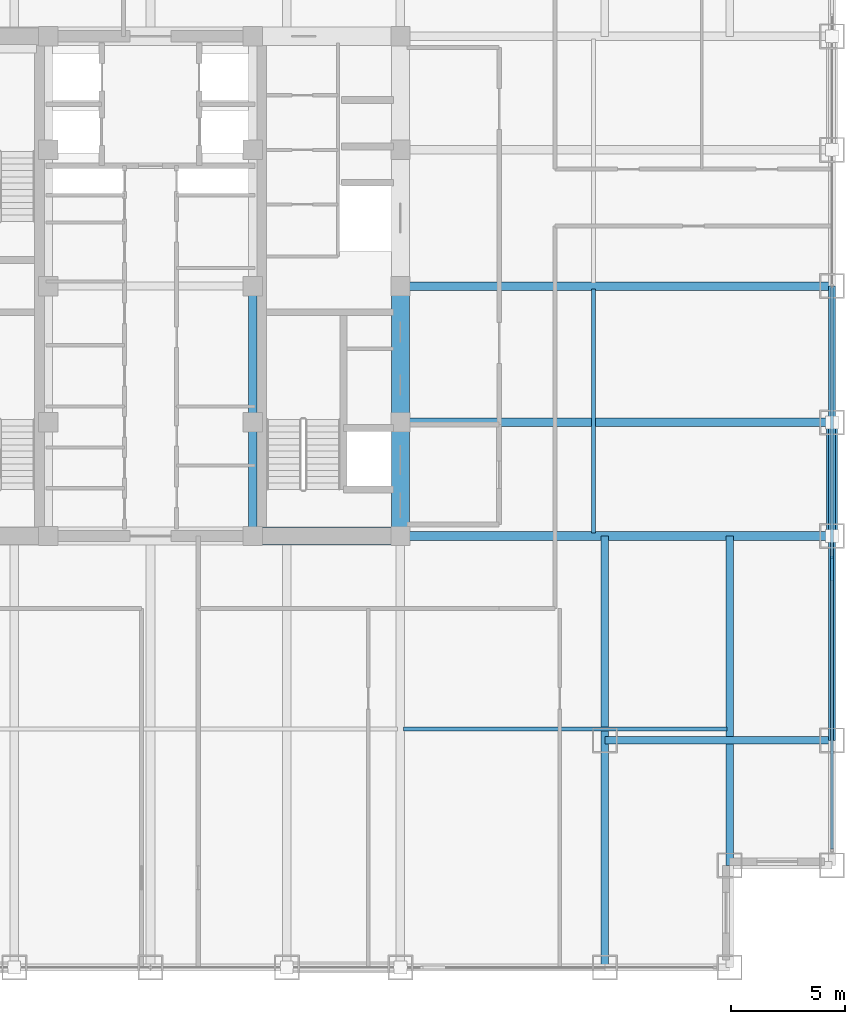
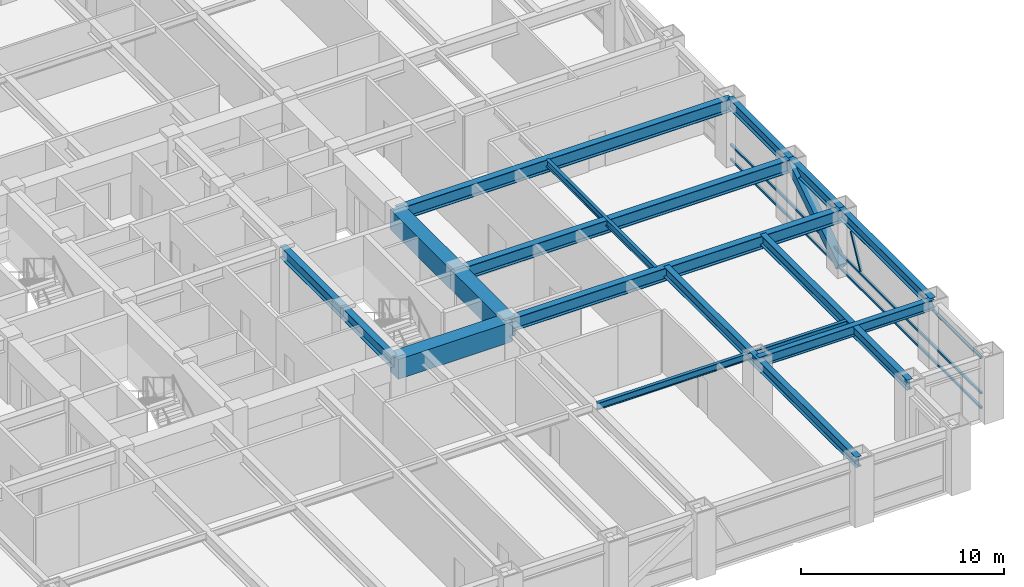
# One storey, part 9 of 25: 16 beams, 5 members, 1 element without a shape of its own.
"""IFC4 building model written with IfcOpenShell, lengths in metres."""

from ifc_helpers import new_model, si_unit, direction, frame, origin, origin_2d, place, context, subcontext, project, spatial, rectangle, hollow_rectangle, i_section, extrude, source, transform, mapped, material, material_profile, profile_set, type_object, element, aggregate, save


model = new_model("IFC4")

# Units and contexts
model_context = context("Model", 3, precision=1e-05, world=origin(), true_north=direction((0.0, 1.0)))
body_context = subcontext(model_context, "Body", "Model", "MODEL_VIEW")
ifc_project = project(units=[si_unit("LENGTHUNIT", "METRE"), si_unit("AREAUNIT", "SQUARE_METRE"), si_unit("VOLUMEUNIT", "CUBIC_METRE"), si_unit("PLANEANGLEUNIT", "RADIAN"), si_unit("MASSUNIT", "GRAM", prefix="KILO")], contexts=[model_context])

# Site, building, storey
site_placement = place(None, origin())
site = spatial("IfcSite", under=ifc_project, at=site_placement, CompositionType="ELEMENT")
building_placement = place(site_placement, origin())
building = spatial("IfcBuilding", under=site, at=building_placement, Name="Khorayat Bourse Tower", CompositionType="ELEMENT")
storey_placement = place(building_placement, frame((0.0, 0.0, 199.10009765625)))
storey = spatial("IfcBuildingStorey", under=building, at=storey_placement, Name="L46", CompositionType="ELEMENT", Elevation=199.10009765625)

# Beams
ifc_material_1 = material(Name="Concrete C72/90", Category="concrete")
ifc_material_profile_1 = material_profile(ifc_material_1, rectangle(XDim=0.800048828125, YDim=1.199951171875, at=origin_2d()), Name="RC 800x1200")
ifc_profile_set_1 = profile_set([ifc_material_profile_1], Name="Concrete C72/90")
beam_type_1 = type_object("IfcBeamType", Name="BM-COUP-1200", PredefinedType="BEAM", material=ifc_profile_set_1)
shared_shape_1 = source(origin(), body_context, "Body", "SweptSolid", [
    extrude(rectangle(XDim=0.800048828125, YDim=1.199951171875, at=origin_2d()), origin(), (0.0, 0.0, 1.0), 5.0),
])
beam_1_placement = place(storey_placement, frame((11.0, -11.0, 3.179931640625), z_axis=(0.0, 1.0, 0.0), x_axis=(-1.0, 0.0, 0.0)))
element("IfcBeam", 1, at=beam_1_placement, inside=storey, type_object=beam_type_1, Name="L46 BM-COUP-1200 BM-L46-CRX-13", PredefinedType="BEAM", context=body_context, shape_type="MappedRepresentation", body=[
    mapped(shared_shape_1, transform((0.0, 0.0, 0.0), scale=1.0)),
])
shared_shape_2 = source(origin(), body_context, "Body", "SweptSolid", [
    extrude(rectangle(XDim=0.800048828125, YDim=1.199951171875, at=origin_2d()), origin(), (0.0, 0.0, 1.0), 6.0),
])
beam_2_placement = place(storey_placement, frame((11.0, -6.0, 3.179931640625), z_axis=(0.0, 1.0, 0.0), x_axis=(-1.0, 0.0, 0.0)))
element("IfcBeam", 2, at=beam_2_placement, inside=storey, type_object=beam_type_1, Name="L46 BM-COUP-1200 BM-L46-CRX-14", PredefinedType="BEAM", context=body_context, shape_type="MappedRepresentation", body=[
    mapped(shared_shape_2, transform((0.0, 0.0, 0.0), scale=1.0)),
])
ifc_material_2 = material(Name="Steel ASTM A992 Grade 50", Category="steel")
ifc_material_profile_2 = material_profile(ifc_material_2, i_section(OverallWidth=0.35498046875, OverallDepth=0.695068359375, WebThickness=0.015380859375, FlangeThickness=0.02490234375, FilletRadius=0.01806640625, at=origin_2d()), Name="W690X217")
ifc_profile_set_2 = profile_set([ifc_material_profile_2], Name="Steel ASTM A992 Grade 50")
beam_type_2 = type_object("IfcBeamType", Name="BM-GIRD-690", PredefinedType="BEAM", material=ifc_profile_set_2)
shared_shape_3 = source(origin(), body_context, "Body", "SweptSolid", [
    extrude(i_section(OverallWidth=0.35498046875, OverallDepth=0.695068359375, WebThickness=0.015380859375, FlangeThickness=0.02490234375, FilletRadius=0.01806640625, at=origin_2d()), origin(), (0.0, 0.0, 1.0), 5.0),
])
beam_3_placement = place(storey_placement, frame((4.5, -11.0, 3.432373046875), z_axis=(0.0, 1.0, 0.0), x_axis=(-1.0, 0.0, 0.0)))
element("IfcBeam", 3, at=beam_3_placement, inside=storey, type_object=beam_type_2, Name="L46 BM-GIRD-690 BM-L46-CRX-09", PredefinedType="BEAM", context=body_context, shape_type="MappedRepresentation", body=[
    mapped(shared_shape_3, transform((0.0, 0.0, 0.0), scale=1.0)),
])
shared_shape_4 = source(origin(), body_context, "Body", "SweptSolid", [
    extrude(i_section(OverallWidth=0.35498046875, OverallDepth=0.695068359375, WebThickness=0.015380859375, FlangeThickness=0.02490234375, FilletRadius=0.01806640625, at=origin_2d()), origin(), (0.0, 0.0, 1.0), 6.0),
])
beam_4_placement = place(storey_placement, frame((4.5, -6.0, 3.432373046875), z_axis=(0.0, 1.0, 0.0), x_axis=(-1.0, 0.0, 0.0)))
element("IfcBeam", 4, at=beam_4_placement, inside=storey, type_object=beam_type_2, Name="L46 BM-GIRD-690 BM-L46-CRX-10", PredefinedType="BEAM", context=body_context, shape_type="MappedRepresentation", body=[
    mapped(shared_shape_4, transform((0.0, 0.0, 0.0), scale=1.0)),
])
shared_shape_5 = source(origin(), body_context, "Body", "SweptSolid", [
    extrude(rectangle(XDim=0.800048828125, YDim=1.199951171875, at=origin_2d()), origin(), (0.0, 0.0, 1.0), 6.5),
])
beam_5_placement = place(storey_placement, frame((4.5, -11.0, 3.179931640625), z_axis=(1.0, 0.0, 0.0), x_axis=(0.0, 1.0, 0.0)))
element("IfcBeam", 5, at=beam_5_placement, inside=storey, type_object=beam_type_1, Name="L46 BM-COUP-1200 BM-L46-CRY-19", PredefinedType="BEAM", context=body_context, shape_type="MappedRepresentation", body=[
    mapped(shared_shape_5, transform((0.0, 0.0, 0.0), scale=1.0)),
])
ifc_material_profile_3 = material_profile(ifc_material_2, i_section(OverallWidth=0.381103515625, OverallDepth=0.77294921875, WebThickness=0.0166015625, FlangeThickness=0.027587890625, FilletRadius=0.01806640625, at=origin_2d()), Name="W760X257")
ifc_profile_set_3 = profile_set([ifc_material_profile_3], Name="Steel ASTM A992 Grade 50")
beam_type_3 = type_object("IfcBeamType", Name="BM-GIRD-760", PredefinedType="BEAM", material=ifc_profile_set_3)
shared_shape_6 = source(origin(), body_context, "Body", "SweptSolid", [
    extrude(i_section(OverallWidth=0.381103515625, OverallDepth=0.77294921875, WebThickness=0.0166015625, FlangeThickness=0.027587890625, FilletRadius=0.01806640625, at=origin_2d()), origin(), (0.0, 0.0, 1.0), 19.0),
])
for number, where, z_axis, x_axis, name in (
    (6, (11.0, -11.0, 3.393310546875), (1.0, 0.0, 0.0), (0.0, 1.0, 0.0), "L46 BM-GIRD-760 BM-L46-RADX-074"),
    (7, (11.0, -6.0, 3.393310546875), (1.0, 0.0, 0.0), (0.0, 1.0, 0.0), "L46 BM-GIRD-760 BM-L46-RADX-076"),
    (8, (11.0, 0.0, 3.393310546875), (1.0, 0.0, 0.0), (0.0, 1.0, 0.0), "L46 BM-GIRD-760 BM-L46-RADX-078"),
):
    element("IfcBeam", number, at=place(storey_placement, frame(where, z_axis=z_axis, x_axis=x_axis)), inside=storey, type_object=beam_type_3, Name=name, PredefinedType="BEAM", context=body_context, shape_type="MappedRepresentation", body=[
        mapped(shared_shape_6, transform((0.0, 0.0, 0.0), scale=1.0)),
    ])
ifc_material_profile_4 = material_profile(ifc_material_2, i_section(OverallWidth=0.324951171875, OverallDepth=0.615966796875, WebThickness=0.013916015625, FlangeThickness=0.021484375, FilletRadius=0.01611328125, at=origin_2d()), Name="W610X174")
ifc_profile_set_4 = profile_set([ifc_material_profile_4], Name="Steel ASTM A992 Grade 50")
beam_type_4 = type_object("IfcBeamType", Name="BM-GIRD-610", PredefinedType="BEAM", material=ifc_profile_set_4)
shared_shape_7 = source(origin(), body_context, "Body", "SweptSolid", [
    extrude(i_section(OverallWidth=0.324951171875, OverallDepth=0.615966796875, WebThickness=0.013916015625, FlangeThickness=0.021484375, FilletRadius=0.01611328125, at=origin_2d()), origin(), (0.0, 0.0, 1.0), 19.0),
])
beam_6_placement = place(storey_placement, frame((20.0, -30.0, 3.471923828125), z_axis=(0.0, 1.0, 0.0), x_axis=(-1.0, 0.0, 0.0)))
element("IfcBeam", 9, at=beam_6_placement, inside=storey, type_object=beam_type_4, Name="L46 BM-GIRD-610 BM-L46-CNRY-086", PredefinedType="BEAM", context=body_context, shape_type="MappedRepresentation", body=[
    mapped(shared_shape_7, transform((0.0, 0.0, 0.0), scale=1.0)),
])
shared_shape_8 = source(origin(), body_context, "Body", "SweptSolid", [
    extrude(i_section(OverallWidth=0.324951171875, OverallDepth=0.615966796875, WebThickness=0.013916015625, FlangeThickness=0.021484375, FilletRadius=0.01611328125, at=origin_2d()), origin(), (0.0, 0.0, 1.0), 14.5),
])
beam_7_placement = place(storey_placement, frame((25.5, -25.5, 3.471923828125), z_axis=(0.0, 1.0, 0.0), x_axis=(-1.0, 0.0, 0.0)))
element("IfcBeam", 10, at=beam_7_placement, inside=storey, type_object=beam_type_4, Name="L46 BM-GIRD-610 BM-L46-CNRY-090", PredefinedType="BEAM", context=body_context, shape_type="MappedRepresentation", body=[
    mapped(shared_shape_8, transform((0.0, 0.0, 0.0), scale=1.0)),
])
shared_shape_9 = source(origin(), body_context, "Body", "SweptSolid", [
    extrude(i_section(OverallWidth=0.324951171875, OverallDepth=0.615966796875, WebThickness=0.013916015625, FlangeThickness=0.021484375, FilletRadius=0.01611328125, at=origin_2d()), origin(), (0.0, 0.0, 1.0), 10.0),
])
beam_8_placement = place(storey_placement, frame((20.0, -20.0, 3.471923828125), z_axis=(1.0, 0.0, 0.0), x_axis=(0.0, 1.0, 0.0)))
element("IfcBeam", 11, at=beam_8_placement, inside=storey, type_object=beam_type_4, Name="L46 BM-GIRD-610 BM-L46-CNRX-092", PredefinedType="BEAM", context=body_context, shape_type="MappedRepresentation", body=[
    mapped(shared_shape_9, transform((0.0, 0.0, 0.0), scale=1.0)),
])
ifc_material_profile_5 = material_profile(ifc_material_2, i_section(OverallWidth=0.180908203125, OverallDepth=0.4169921875, WebThickness=0.010986328125, FlangeThickness=0.018310546875, FilletRadius=0.011962890625, at=origin_2d()), Name="W410X85")
ifc_profile_set_5 = profile_set([ifc_material_profile_5], Name="Steel ASTM A992 Grade 50")
beam_type_5 = type_object("IfcBeamType", Name="BM-JOIST-410", PredefinedType="JOIST", material=ifc_profile_set_5)
shared_shape_10 = source(origin(), body_context, "Body", "SweptSolid", [
    extrude(i_section(OverallWidth=0.180908203125, OverallDepth=0.4169921875, WebThickness=0.010986328125, FlangeThickness=0.018310546875, FilletRadius=0.011962890625, at=origin_2d()), origin(), (0.0, 0.0, 1.0), 14.240234375),
])
beam_9_placement = place(storey_placement, frame((11.1298828125, -19.5, 3.5712890625), z_axis=(1.0, 0.0, 0.0), x_axis=(0.0, 1.0, 0.0)))
element("IfcBeam", 12, at=beam_9_placement, inside=storey, type_object=beam_type_5, Name="L46 BM-JOIST-410 BM-L46-JSTX-098", PredefinedType="JOIST", context=body_context, shape_type="MappedRepresentation", body=[
    mapped(shared_shape_10, transform((0.0, 0.0, 0.0), scale=1.0)),
])
shared_shape_11 = source(origin(), body_context, "Body", "SweptSolid", [
    extrude(i_section(OverallWidth=0.180908203125, OverallDepth=0.4169921875, WebThickness=0.010986328125, FlangeThickness=0.018310546875, FilletRadius=0.011962890625, at=origin_2d()), origin(), (0.0, 0.0, 1.0), 10.740234375),
])
beam_10_placement = place(storey_placement, frame((19.5, -10.8701171875, 3.5712890625), z_axis=(0.0, 1.0, 0.0), x_axis=(-1.0, 0.0, 0.0)))
element("IfcBeam", 13, at=beam_10_placement, inside=storey, type_object=beam_type_5, Name="L46 BM-JOIST-410 BM-L46-JSTY-104", PredefinedType="JOIST", context=body_context, shape_type="MappedRepresentation", body=[
    mapped(shared_shape_11, transform((0.0, 0.0, 0.0), scale=1.0)),
])
ifc_material_profile_6 = material_profile(ifc_material_2, i_section(OverallWidth=0.324951171875, OverallDepth=0.615966796875, WebThickness=0.013916015625, FlangeThickness=0.021484375, FilletRadius=0.01611328125, at=origin_2d()), Name="W610X174")
ifc_profile_set_6 = profile_set([ifc_material_profile_6], Name="Steel ASTM A992 Grade 50")
beam_type_6 = type_object("IfcBeamType", Name="BM-SPAN-610", PredefinedType="SPANDREL", material=ifc_profile_set_6)
shared_shape_12 = source(origin(), body_context, "Body", "SweptSolid", [
    extrude(i_section(OverallWidth=0.324951171875, OverallDepth=0.615966796875, WebThickness=0.013916015625, FlangeThickness=0.021484375, FilletRadius=0.01611328125, at=origin_2d()), origin(), (0.0, 0.0, 1.0), 9.0),
])
beam_11_placement = place(storey_placement, frame((30.0, -20.0, 3.471923828125), z_axis=(0.0, 1.0, 0.0), x_axis=(-1.0, 0.0, 0.0)))
element("IfcBeam", 14, at=beam_11_placement, inside=storey, type_object=beam_type_6, Name="L46 BM-SPAN-610 BM-L46-SPN-035", PredefinedType="SPANDREL", context=body_context, shape_type="MappedRepresentation", body=[
    mapped(shared_shape_12, transform((0.0, 0.0, 0.0), scale=1.0)),
])
shared_shape_13 = source(origin(), body_context, "Body", "SweptSolid", [
    extrude(i_section(OverallWidth=0.324951171875, OverallDepth=0.615966796875, WebThickness=0.013916015625, FlangeThickness=0.021484375, FilletRadius=0.01611328125, at=origin_2d()), origin(), (0.0, 0.0, 1.0), 5.0),
])
beam_12_placement = place(storey_placement, frame((30.0, -11.0, 3.471923828125), z_axis=(0.0, 1.0, 0.0), x_axis=(-1.0, 0.0, 0.0)))
element("IfcBeam", 15, at=beam_12_placement, inside=storey, type_object=beam_type_6, Name="L46 BM-SPAN-610 BM-L46-SPN-036", PredefinedType="SPANDREL", context=body_context, shape_type="MappedRepresentation", body=[
    mapped(shared_shape_13, transform((0.0, 0.0, 0.0), scale=1.0)),
])
shared_shape_14 = source(origin(), body_context, "Body", "SweptSolid", [
    extrude(i_section(OverallWidth=0.324951171875, OverallDepth=0.615966796875, WebThickness=0.013916015625, FlangeThickness=0.021484375, FilletRadius=0.01611328125, at=origin_2d()), origin(), (0.0, 0.0, 1.0), 6.0),
])
beam_13_placement = place(storey_placement, frame((30.0, -6.0, 3.471923828125), z_axis=(0.0, 1.0, 0.0), x_axis=(-1.0, 0.0, 0.0)))
element("IfcBeam", 16, at=beam_13_placement, inside=storey, type_object=beam_type_6, Name="L46 BM-SPAN-610 BM-L46-SPN-037", PredefinedType="SPANDREL", context=body_context, shape_type="MappedRepresentation", body=[
    mapped(shared_shape_14, transform((0.0, 0.0, 0.0), scale=1.0)),
])

# Member
ifc_material_3 = material(Name="Steel EN 10025-4 S460M", Category="steel")
ifc_material_profile_7 = material_profile(ifc_material_3, hollow_rectangle(XDim=0.5, YDim=0.5, WallThickness=0.028076171875, at=origin_2d()), Name="HSS 500x500x28")
ifc_profile_set_7 = profile_set([ifc_material_profile_7], Name="Steel EN 10025-4 S460M")
member_type_1 = type_object("IfcMemberType", Name="MBR-TUBE-500", PredefinedType="BRACE", material=ifc_profile_set_7)
shared_shape_15 = source(origin(), body_context, "Body", "SweptSolid", [
    extrude(hollow_rectangle(XDim=0.5, YDim=0.5, WallThickness=0.028076171875, at=origin_2d()), origin(), (0.0, 0.0, 1.0), 5.979736328125),
])
member_1_placement = place(storey_placement, frame((30.0, -11.0, 0.25), z_axis=(0.0, 0.836160261256, 0.548485202623), x_axis=(-1.0, 0.0, 0.0)))
element("IfcMember", 17, at=member_1_placement, inside=storey, type_object=member_type_1, Name="L46 Perimeter Tube Brace 07", PredefinedType="BRACE", context=body_context, shape_type="MappedRepresentation", body=[
    mapped(shared_shape_15, transform((0.0, 0.0, 0.0), scale=1.0)),
])

# Curtain wall, members
ifc_material_4 = material(Name="Aluminium EN AW-6063 T6", Category="aluminium")
curtain_wall_type = type_object("IfcCurtainWallType", Name="CW-SYS-03", PredefinedType="NOTDEFINED", material=ifc_material_4)
curtain_wall_placement = place(storey_placement, origin())
curtain_wall = element("IfcCurtainWall", 18, at=curtain_wall_placement, inside=storey, type_object=curtain_wall_type, Name="L46 Curtain Wall CW-L46-E1", PredefinedType="NOTDEFINED")
ifc_material_profile_8 = material_profile(ifc_material_4, hollow_rectangle(XDim=0.1201171875, YDim=0.1201171875, WallThickness=0.0048828125, at=origin_2d()), Name="ALU 120x120x5")
ifc_profile_set_8 = profile_set([ifc_material_profile_8], Name="Aluminium EN AW-6063 T6")
member_type_2 = type_object("IfcMemberType", Name="CWM-DIAG-120", PredefinedType="MULLION", material=ifc_profile_set_8)
shared_shape_16 = source(origin(), body_context, "Body", "SweptSolid", [
    extrude(hollow_rectangle(XDim=0.1201171875, YDim=0.1201171875, WallThickness=0.0048828125, at=origin_2d()), origin(), (0.0, 0.0, 1.0), 2.079345703125),
])
member_2_placement = place(storey_placement, frame((30.0, -12.904296875, 1.08984375), z_axis=(0.0, 0.465760949701, 0.884910581773), x_axis=(-1.0, 0.0, 0.0)))
member_2 = element("IfcMember", 19, at=member_2_placement, type_object=member_type_2, Name="CW-L46-E1 Faceted Diagonal Mullion 1", PredefinedType="MULLION", context=body_context, shape_type="MappedRepresentation", body=[
    mapped(shared_shape_16, transform((0.0, 0.0, 0.0), scale=1.0)),
])
ifc_material_profile_9 = material_profile(ifc_material_4, hollow_rectangle(XDim=0.1201171875, YDim=0.1201171875, WallThickness=0.0048828125, at=origin_2d()), Name="ALU 120x120x5")
ifc_profile_set_9 = profile_set([ifc_material_profile_9], Name="Aluminium EN AW-6063 T6")
member_type_3 = type_object("IfcMemberType", Name="CWT-HORZ-120", PredefinedType="USERDEFINED", material=ifc_profile_set_9)
shared_shape_17 = source(origin(), body_context, "Body", "SweptSolid", [
    extrude(hollow_rectangle(XDim=0.1201171875, YDim=0.1201171875, WallThickness=0.0048828125, at=origin_2d()), origin(), (0.0, 0.0, 1.0), 24.719970703125),
])
member_3_placement = place(storey_placement, frame((30.0, -24.780029296875, 0.059814453125), z_axis=(0.0, 1.0, 0.0), x_axis=(-1.0, 0.0, 0.0)))
member_3 = element("IfcMember", 20, at=member_3_placement, type_object=member_type_3, Name="CW-L46-E1 Horizontal Transom 1-1", ObjectType="TRANSOM", PredefinedType="USERDEFINED", context=body_context, shape_type="MappedRepresentation", body=[
    mapped(shared_shape_17, transform((0.0, 0.0, 0.0), scale=1.0)),
])
member_4_placement = place(storey_placement, frame((30.0, -24.780029296875, 0.949951171875), z_axis=(0.0, 1.0, 0.0), x_axis=(-1.0, 0.0, 0.0)))
member_4 = element("IfcMember", 21, at=member_4_placement, type_object=member_type_3, Name="CW-L46-E1 Horizontal Transom 1-2", ObjectType="TRANSOM", PredefinedType="USERDEFINED", context=body_context, shape_type="MappedRepresentation", body=[
    mapped(shared_shape_17, transform((0.0, 0.0, 0.0), scale=1.0)),
])
member_5_placement = place(storey_placement, frame((30.0, -24.780029296875, 3.06982421875), z_axis=(0.0, 1.0, 0.0), x_axis=(-1.0, 0.0, 0.0)))
member_5 = element("IfcMember", 22, at=member_5_placement, type_object=member_type_3, Name="CW-L46-E1 Horizontal Transom 1-3", ObjectType="TRANSOM", PredefinedType="USERDEFINED", context=body_context, shape_type="MappedRepresentation", body=[
    mapped(shared_shape_17, transform((0.0, 0.0, 0.0), scale=1.0)),
])
aggregate(curtain_wall, [member_3, member_4, member_5, member_2])

save(model, "model.ifc")
